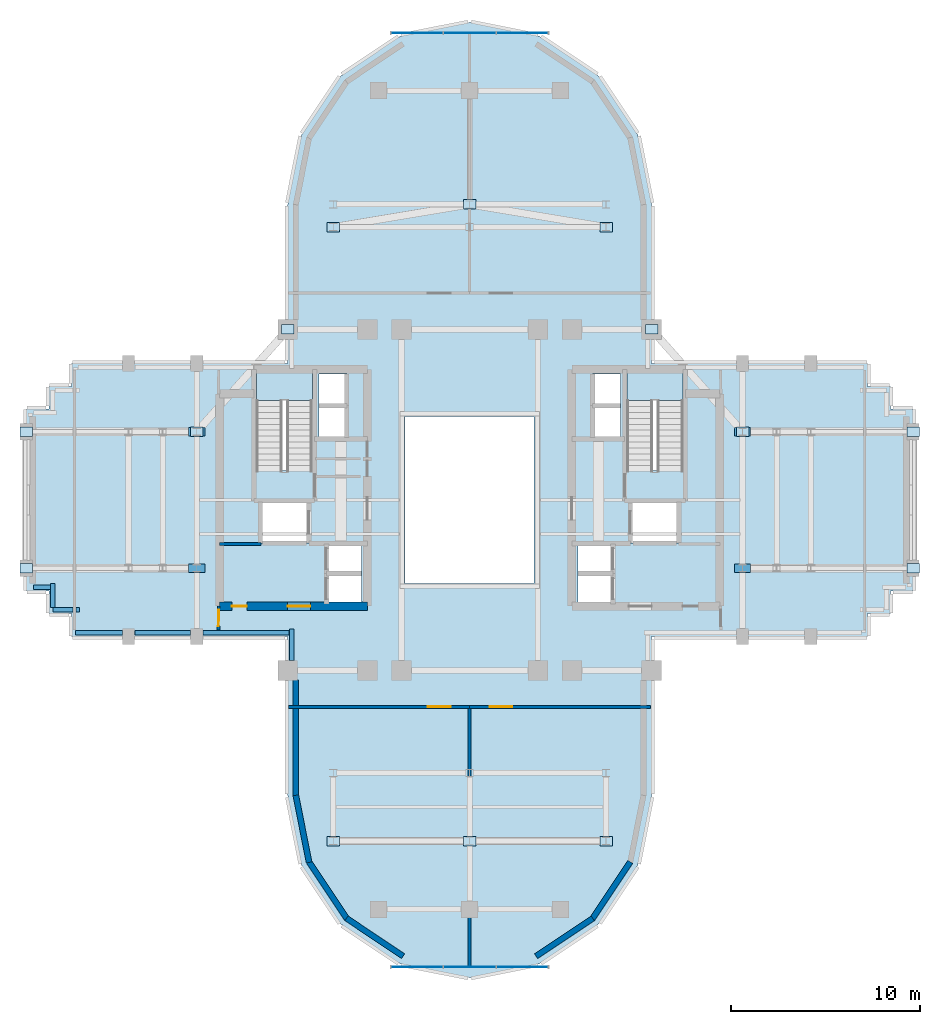
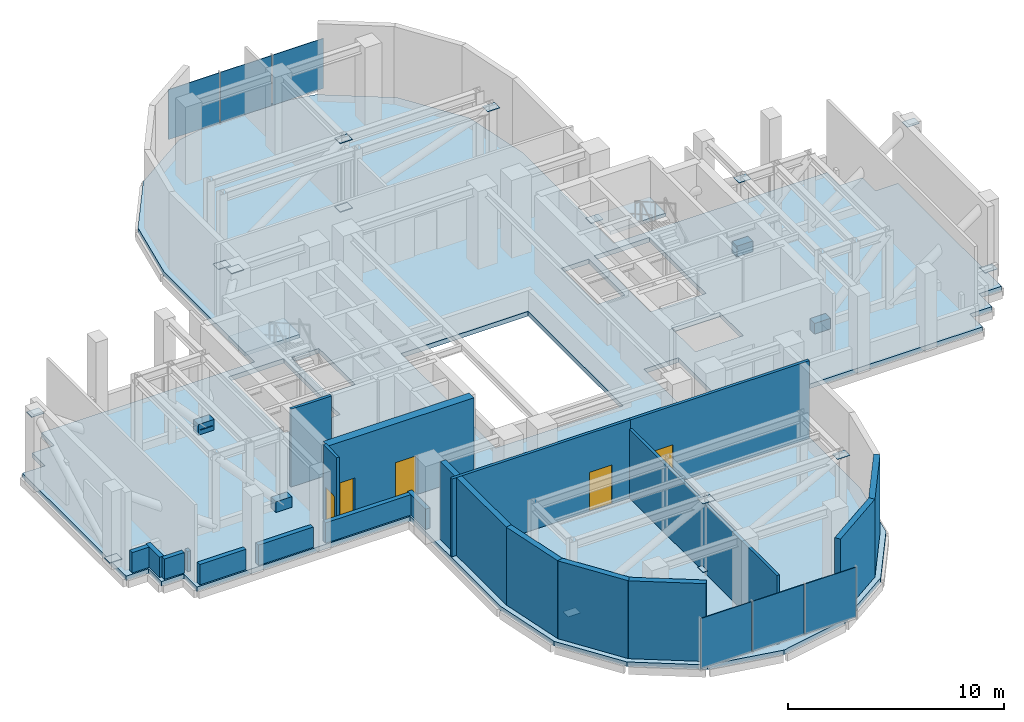
# One storey, part 5 of 11: 26 plates, 20 walls, 5 doors, 3 slabs, 5 openings, 4 elements without a shape of their own.
"""IFC4 building model written with IfcOpenShell, lengths in metres."""

from ifc_helpers import new_model, si_unit, direction, frame, frame_2d, origin, origin_2d, place, context, subcontext, project, spatial, polyline, rectangle, outline, extrude, source, transform, mapped, material, layer, layer_set, type_object, element, fill, aggregate, save


model = new_model("IFC4")

# Units and contexts
model_context = context("Model", 3, precision=1e-05, world=origin(), true_north=direction((0.0, 1.0)))
body_context = subcontext(model_context, "Body", "Model", "MODEL_VIEW")
ifc_project = project(units=[si_unit("LENGTHUNIT", "METRE"), si_unit("AREAUNIT", "SQUARE_METRE"), si_unit("VOLUMEUNIT", "CUBIC_METRE"), si_unit("PLANEANGLEUNIT", "RADIAN"), si_unit("MASSUNIT", "GRAM", prefix="KILO")], contexts=[model_context])

# Site, building, storey
site_placement = place(None, origin())
site = spatial("IfcSite", under=ifc_project, at=site_placement, CompositionType="ELEMENT")
building_placement = place(site_placement, origin())
building = spatial("IfcBuilding", under=site, at=building_placement, Name="Keilestroom Media Tower", CompositionType="ELEMENT")
storey_placement = place(building_placement, frame((0.0, 0.0, 151.60009765625)))
storey = spatial("IfcBuildingStorey", under=building, at=storey_placement, Name="L41", CompositionType="ELEMENT", Elevation=151.60009765625)

# Slab
ifc_material_1 = material(Name="Concrete C50/60", Category="concrete")
ifc_layer_1 = layer(ifc_material_1, 0.260009765625)
ifc_layer_set_1 = layer_set([ifc_layer_1], Name="Concrete C50/60")
slab_type_1 = type_object("IfcSlabType", Name="Composite-Floor-Slab-260", PredefinedType="FLOOR", material=ifc_layer_set_1)
slab_1_placement = place(storey_placement, frame((0.0, 0.0, -0.260009765625)))
element("IfcSlab", 1, at=slab_1_placement, inside=storey, type_object=slab_type_1, Name="L41 Structural Composite Floor Slab", PredefinedType="FLOOR", context=body_context, shape_type="SweptSolid", body=[
    extrude(outline(polyline([(23.39990234375, -4.800048828125), (23.39990234375, 4.800048828125), (22.199951171875, 4.800048828125), (22.199951171875, 6.0), (21.0, 6.0), (21.0, 7.199951171875), (9.60009765625, 7.199951171875), (9.60009765625, 9.60009765625), (9.60009765625, 15.60009765625), (8.869140625, 19.273681640625), (6.7880859375, 22.38818359375), (3.673828125, 24.46923828125), (0.0, 25.199951171875), (-3.673828125, 24.46923828125), (-6.7880859375, 22.38818359375), (-8.869140625, 19.273681640625), (-9.60009765625, 15.60009765625), (-9.60009765625, 9.60009765625), (-9.60009765625, 7.199951171875), (-21.0, 7.199951171875), (-21.0, 6.0), (-22.199951171875, 6.0), (-22.199951171875, 4.800048828125), (-23.39990234375, 4.800048828125), (-23.39990234375, -4.800048828125), (-22.199951171875, -4.800048828125), (-22.199951171875, -6.0), (-21.0, -6.0), (-21.0, -7.199951171875), (-9.60009765625, -7.199951171875), (-9.60009765625, -9.60009765625), (-9.60009765625, -15.60009765625), (-8.869140625, -19.273681640625), (-6.7880859375, -22.38818359375), (-3.673828125, -24.46923828125), (0.0, -25.199951171875), (3.673828125, -24.46923828125), (6.7880859375, -22.38818359375), (8.869140625, -19.273681640625), (9.60009765625, -15.60009765625), (9.60009765625, -9.60009765625), (9.60009765625, -7.199951171875), (21.0, -7.199951171875), (21.0, -6.0), (22.199951171875, -6.0), (22.199951171875, -4.800048828125), (23.39990234375, -4.800048828125)]), holes=[polyline([(-11.260009765625, 1.544921875), (-11.260009765625, 6.760009765625), (-8.300048828125, 6.760009765625), (-8.300048828125, 1.544921875), (-11.260009765625, 1.544921875)]), polyline([(-11.050048828125, -2.280029296875), (-11.050048828125, -0.10009765625), (-8.47998046875, -0.10009765625), (-8.47998046875, -2.280029296875), (-11.050048828125, -2.280029296875)]), polyline([(-7.949951171875, 3.300048828125), (-7.949951171875, 6.64990234375), (-6.47998046875, 6.64990234375), (-6.47998046875, 3.300048828125), (-7.949951171875, 3.300048828125)]), polyline([(-7.56005859375, -2.320068359375), (-5.719970703125, -2.320068359375), (-5.719970703125, -5.47998046875), (-7.56005859375, -5.47998046875), (-7.56005859375, -2.320068359375)]), polyline([(3.39990234375, -4.39990234375), (-3.39990234375, -4.39990234375), (-3.39990234375, 4.39990234375), (3.39990234375, 4.39990234375), (3.39990234375, -4.39990234375)]), polyline([(7.56005859375, -2.320068359375), (7.56005859375, -5.47998046875), (5.719970703125, -5.47998046875), (5.719970703125, -2.320068359375), (7.56005859375, -2.320068359375)]), polyline([(6.47998046875, 3.300048828125), (6.47998046875, 6.64990234375), (7.949951171875, 6.64990234375), (7.949951171875, 3.300048828125), (6.47998046875, 3.300048828125)]), polyline([(8.300048828125, 1.544921875), (8.300048828125, 6.760009765625), (11.260009765625, 6.760009765625), (11.260009765625, 1.544921875), (8.300048828125, 1.544921875)]), polyline([(8.47998046875, -2.280029296875), (8.47998046875, -0.10009765625), (11.050048828125, -0.10009765625), (11.050048828125, -2.280029296875), (8.47998046875, -2.280029296875)])]), origin(), (0.0, 0.0, 1.0), 0.260009765625),
])

# Stair, slab
ifc_material_2 = material(Name="Concrete C45/55", Category="concrete")
stair_type = type_object("IfcStairType", Name="Enclosed-Dog-Leg-Stair-ST-CORE", PredefinedType="HALF_TURN_STAIR", material=ifc_material_2)
stair_1_placement = place(storey_placement, origin())
stair_1 = element("IfcStair", 2, at=stair_1_placement, inside=storey, type_object=stair_type, Name="L41 West Core Escape Stair ST-1", PredefinedType="HALF_TURN_STAIR")
ifc_layer_2 = layer(ifc_material_2, 0.199951171875)
ifc_layer_set_2 = layer_set([ifc_layer_2], Name="Concrete C45/55")
slab_type_2 = type_object("IfcSlabType", Name="Stair-Intermediate-And-Top-Landing-Slab-200", PredefinedType="LANDING", material=ifc_layer_set_2)
slab_2_placement = place(storey_placement, frame((0.0, 0.0, 2.099853515625)))
slab_2 = element("IfcSlab", 3, at=slab_2_placement, type_object=slab_type_2, Name="ST-1 landing 1", PredefinedType="LANDING", context=body_context, shape_type="SweptSolid", body=[
    extrude(outline(polyline([(-8.300048828125, 5.243896484375), (-8.300048828125, 6.760009765625), (-11.260009765625, 6.760009765625), (-11.260009765625, 5.243896484375), (-8.300048828125, 5.243896484375)])), origin(), (0.0, 0.0, 1.0), 0.199951171875),
])
aggregate(stair_1, [slab_2])

stair_2_placement = place(storey_placement, origin())
stair_2 = element("IfcStair", 4, at=stair_2_placement, inside=storey, type_object=stair_type, Name="L41 East Core Escape Stair ST-2", PredefinedType="HALF_TURN_STAIR")
slab_3_placement = place(storey_placement, frame((0.0, 0.0, 2.099853515625)))
slab_3 = element("IfcSlab", 5, at=slab_3_placement, type_object=slab_type_2, Name="ST-2 landing 1", PredefinedType="LANDING", context=body_context, shape_type="SweptSolid", body=[
    extrude(outline(polyline([(11.260009765625, 5.243896484375), (11.260009765625, 6.760009765625), (8.300048828125, 6.760009765625), (8.300048828125, 5.243896484375), (11.260009765625, 5.243896484375)])), origin(), (0.0, 0.0, 1.0), 0.199951171875),
])
aggregate(stair_2, [slab_3])

# Plates
ifc_material_3 = material(Name="Steel S460", Category="steel")
ifc_layer_3 = layer(ifc_material_3, 0.64990234375)
ifc_layer_set_3 = layer_set([ifc_layer_3], Name="Steel S460")
plate_type_1 = type_object("IfcPlateType", Name="Structural-Gusset-And-Cap-Plate-ND-05", PredefinedType="SHEET", material=ifc_layer_set_3)
shared_shape_1 = source(origin(), body_context, "Body", "SweptSolid", [
    extrude(rectangle(XDim=0.85009765625, YDim=0.449951171875, at=origin_2d()), origin(), (0.0, 0.0, 1.0), 0.64990234375),
])
for number, where, z_axis, x_axis, name in (
    (6, (-14.39990234375, -3.60009765625, -0.045166015625), (0.0, 0.0, 1.0), (1.0, 0.0, 0.0), "L41 Outrigger Gusset ND-05 WS"),
    (7, (-14.39990234375, 3.60009765625, -0.045166015625), (0.0, 0.0, 1.0), (1.0, 0.0, 0.0), "L41 Outrigger Gusset ND-05 WN"),
    (8, (14.39990234375, -3.60009765625, -0.045166015625), (0.0, 0.0, 1.0), (1.0, 0.0, 0.0), "L41 Outrigger Gusset ND-05 ES"),
    (9, (14.39990234375, 3.60009765625, -0.045166015625), (0.0, 0.0, 1.0), (1.0, 0.0, 0.0), "L41 Outrigger Gusset ND-05 EN"),
):
    element("IfcPlate", number, at=place(storey_placement, frame(where, z_axis=z_axis, x_axis=x_axis)), inside=storey, type_object=plate_type_1, Name=name, PredefinedType="SHEET", context=body_context, shape_type="MappedRepresentation", body=[
        mapped(shared_shape_1, transform((0.0, 0.0, 0.0), x_axis=(1.0, 0.0, 0.0), y_axis=(0.0, 1.0, 0.0), z_axis=(0.0, 0.0, 1.0), scale=1.0)),
    ])
ifc_layer_4 = layer(ifc_material_3, 0.02490234375)
ifc_layer_set_4 = layer_set([ifc_layer_4], Name="Steel S460")
plate_type_2 = type_object("IfcPlateType", Name="Structural-Gusset-And-Cap-Plate-ND-06", PredefinedType="SHEET", material=ifc_layer_set_4)
shared_shape_2 = source(origin(), body_context, "Body", "SweptSolid", [
    extrude(rectangle(XDim=0.659912109375, YDim=0.5, at=origin_2d()), origin(), (0.0, 0.0, 1.0), 0.02490234375),
])
for number, where, z_axis, x_axis, name in (
    (10, (-23.39990234375, -3.60009765625, 0.267333984375), (0.0, 0.0, 1.0), (1.0, 0.0, 0.0), "L41 Belt Truss Lower End Cap ND-06 BW1"),
    (11, (-23.39990234375, 3.60009765625, 4.137451171875), (0.0, 0.0, 1.0), (1.0, 0.0, 0.0), "L41 Belt Truss Upper End Cap ND-06 BW1"),
    (12, (23.39990234375, -3.60009765625, 0.267333984375), (0.0, 0.0, 1.0), (1.0, 0.0, 0.0), "L41 Belt Truss Lower End Cap ND-06 BE1"),
    (13, (23.39990234375, 3.60009765625, 4.137451171875), (0.0, 0.0, 1.0), (1.0, 0.0, 0.0), "L41 Belt Truss Upper End Cap ND-06 BE1"),
    (14, (-7.199951171875, 14.39990234375, 0.267333984375), (0.0, 0.0, 1.0), (1.0, 0.0, 0.0), "L41 Belt Truss Lower End Cap ND-06 BN1"),
    (15, (0.0, 15.60009765625, 4.137451171875), (0.0, 0.0, 1.0), (1.0, 0.0, 0.0), "L41 Belt Truss Upper End Cap ND-06 BN1"),
    (16, (0.0, 15.60009765625, 0.267333984375), (0.0, 0.0, 1.0), (1.0, 0.0, 0.0), "L41 Belt Truss Lower End Cap ND-06 BN2"),
    (17, (7.199951171875, 14.39990234375, 4.137451171875), (0.0, 0.0, 1.0), (1.0, 0.0, 0.0), "L41 Belt Truss Upper End Cap ND-06 BN2"),
    (18, (-7.199951171875, -18.0, 0.267333984375), (0.0, 0.0, 1.0), (1.0, 0.0, 0.0), "L41 Belt Truss Lower End Cap ND-06 BS1"),
    (19, (0.0, -18.0, 4.137451171875), (0.0, 0.0, 1.0), (1.0, 0.0, 0.0), "L41 Belt Truss Upper End Cap ND-06 BS1"),
    (20, (0.0, -18.0, 0.267333984375), (0.0, 0.0, 1.0), (1.0, 0.0, 0.0), "L41 Belt Truss Lower End Cap ND-06 BS2"),
    (21, (7.199951171875, -18.0, 4.137451171875), (0.0, 0.0, 1.0), (1.0, 0.0, 0.0), "L41 Belt Truss Upper End Cap ND-06 BS2"),
    (22, (-14.39990234375, 3.60009765625, 0.267333984375), (0.0, 0.0, 1.0), (1.0, 0.0, 0.0), "L41 Belt Truss Lower End Cap ND-06 BWN"),
    (23, (-9.60009765625, 9.0, 4.137451171875), (0.0, 0.0, 1.0), (1.0, 0.0, 0.0), "L41 Belt Truss Upper End Cap ND-06 BWN"),
    (24, (9.60009765625, 9.0, 0.267333984375), (0.0, 0.0, 1.0), (1.0, 0.0, 0.0), "L41 Belt Truss Lower End Cap ND-06 BEN"),
    (25, (14.39990234375, 3.60009765625, 4.137451171875), (0.0, 0.0, 1.0), (1.0, 0.0, 0.0), "L41 Belt Truss Upper End Cap ND-06 BEN"),
):
    element("IfcPlate", number, at=place(storey_placement, frame(where, z_axis=z_axis, x_axis=x_axis)), inside=storey, type_object=plate_type_2, Name=name, PredefinedType="SHEET", context=body_context, shape_type="MappedRepresentation", body=[
        mapped(shared_shape_2, transform((0.0, 0.0, 0.0), x_axis=(1.0, 0.0, 0.0), y_axis=(0.0, 1.0, 0.0), z_axis=(0.0, 0.0, 1.0), scale=1.0)),
    ])

# Curtain wall, plates
ifc_material_4 = material(Name="Anodised Aluminium Alloy", Category="aluminium")
curtain_wall_type = type_object("IfcCurtainWallType", Name="Unitised-Curtain-Wall-CW-6", PredefinedType="NOTDEFINED", material=ifc_material_4)
curtain_wall_1_placement = place(storey_placement, origin())
curtain_wall_1 = element("IfcCurtainWall", 26, at=curtain_wall_1_placement, inside=storey, type_object=curtain_wall_type, Name="L41 Curtain Wall CW-6 CW-L41-N", PredefinedType="NOTDEFINED")
ifc_material_5 = material(Name="Curved-Facet Triple Glazed Unit", Category="glass")
ifc_layer_5 = layer(ifc_material_5, 0.033935546875)
ifc_layer_set_5 = layer_set([ifc_layer_5], Name="Curved-Facet Triple Glazed Unit")
plate_type_3 = type_object("IfcPlateType", Name="Insulated-Curtain-Wall-Glazing-Panel-CW-6", PredefinedType="CURTAIN_PANEL", material=ifc_layer_set_5)
shared_shape_3 = source(origin(), body_context, "Body", "SweptSolid", [
    extrude(rectangle(XDim=2.71044921875, YDim=0.033935546875, at=origin_2d()), origin(), (0.0, 0.0, 1.0), 2.833984375),
])
plate_1_placement = place(storey_placement, frame((-2.78369140625, 24.64990234375, 0.072998046875), z_axis=(0.0, 0.0, 1.0), x_axis=(1.0, 0.0, 0.0)))
plate_1 = element("IfcPlate", 27, at=plate_1_placement, type_object=plate_type_3, Name="CW-6 Unitised Glazing 00", PredefinedType="CURTAIN_PANEL", context=body_context, shape_type="MappedRepresentation", body=[
    mapped(shared_shape_3, transform((0.0, 0.0, 0.0), x_axis=(1.0, 0.0, 0.0), y_axis=(0.0, 1.0, 0.0), z_axis=(0.0, 0.0, 1.0), scale=1.0)),
])
plate_2_placement = place(storey_placement, frame((2.78369140625, 24.64990234375, 0.072998046875), z_axis=(0.0, 0.0, 1.0), x_axis=(1.0, 0.0, 0.0)))
plate_2 = element("IfcPlate", 28, at=plate_2_placement, type_object=plate_type_3, Name="CW-6 Unitised Glazing 02", PredefinedType="CURTAIN_PANEL", context=body_context, shape_type="MappedRepresentation", body=[
    mapped(shared_shape_3, transform((0.0, 0.0, 0.0), x_axis=(1.0, 0.0, 0.0), y_axis=(0.0, 1.0, 0.0), z_axis=(0.0, 0.0, 1.0), scale=1.0)),
])

curtain_wall_2_placement = place(storey_placement, origin())
curtain_wall_2 = element("IfcCurtainWall", 29, at=curtain_wall_2_placement, inside=storey, type_object=curtain_wall_type, Name="L41 Curtain Wall CW-6 CW-L41-S", PredefinedType="NOTDEFINED")
plate_3_placement = place(storey_placement, frame((-2.78369140625, -24.64990234375, 0.072998046875), z_axis=(0.0, 0.0, 1.0), x_axis=(1.0, 0.0, 0.0)))
plate_3 = element("IfcPlate", 30, at=plate_3_placement, type_object=plate_type_3, Name="CW-6 Unitised Glazing 00", PredefinedType="CURTAIN_PANEL", context=body_context, shape_type="MappedRepresentation", body=[
    mapped(shared_shape_3, transform((0.0, 0.0, 0.0), x_axis=(1.0, 0.0, 0.0), y_axis=(0.0, 1.0, 0.0), z_axis=(0.0, 0.0, 1.0), scale=1.0)),
])
plate_4_placement = place(storey_placement, frame((2.78369140625, -24.64990234375, 0.072998046875), z_axis=(0.0, 0.0, 1.0), x_axis=(1.0, 0.0, 0.0)))
plate_4 = element("IfcPlate", 31, at=plate_4_placement, type_object=plate_type_3, Name="CW-6 Unitised Glazing 02", PredefinedType="CURTAIN_PANEL", context=body_context, shape_type="MappedRepresentation", body=[
    mapped(shared_shape_3, transform((0.0, 0.0, 0.0), x_axis=(1.0, 0.0, 0.0), y_axis=(0.0, 1.0, 0.0), z_axis=(0.0, 0.0, 1.0), scale=1.0)),
])

# Plate
shared_shape_4 = source(origin(), body_context, "Body", "SweptSolid", [
    extrude(rectangle(XDim=2.742919921875, YDim=0.033935546875, at=origin_2d()), origin(), (0.0, 0.0, 1.0), 2.833984375),
])
plate_5_placement = place(storey_placement, frame((0.0, 24.64990234375, 0.072998046875), z_axis=(0.0, 0.0, 1.0), x_axis=(1.0, 0.0, 0.0)))
plate_5 = element("IfcPlate", 32, at=plate_5_placement, type_object=plate_type_3, Name="CW-6 Unitised Glazing 01", PredefinedType="CURTAIN_PANEL", context=body_context, shape_type="MappedRepresentation", body=[
    mapped(shared_shape_4, transform((0.0, 0.0, 0.0), x_axis=(1.0, 0.0, 0.0), y_axis=(0.0, 1.0, 0.0), z_axis=(0.0, 0.0, 1.0), scale=1.0)),
])

aggregate(curtain_wall_1, [plate_1, plate_5, plate_2])

plate_6_placement = place(storey_placement, frame((0.0, -24.64990234375, 0.072998046875), z_axis=(0.0, 0.0, 1.0), x_axis=(1.0, 0.0, 0.0)))
plate_6 = element("IfcPlate", 33, at=plate_6_placement, type_object=plate_type_3, Name="CW-6 Unitised Glazing 01", PredefinedType="CURTAIN_PANEL", context=body_context, shape_type="MappedRepresentation", body=[
    mapped(shared_shape_4, transform((0.0, 0.0, 0.0), x_axis=(1.0, 0.0, 0.0), y_axis=(0.0, 1.0, 0.0), z_axis=(0.0, 0.0, 1.0), scale=1.0)),
])

aggregate(curtain_wall_2, [plate_3, plate_6, plate_4])

# Walls
ifc_material_6 = material(Name="Precast concrete C40/50", Category="concrete")
ifc_layer_6 = layer(ifc_material_6, 0.300048828125)
ifc_layer_set_6 = layer_set([ifc_layer_6], Name="Precast concrete C40/50")
wall_type_1 = type_object("IfcWallType", Name="Exterior-Masonry-Spandrel-Wall-300", PredefinedType="SOLIDWALL", material=ifc_layer_set_6)
wall_1_placement = place(storey_placement, frame((-9.171875, -9.492919921875, 0.0), z_axis=(0.0, 0.0, 1.0), x_axis=(0.0, -1.0, 0.0)))
element("IfcWall", 34, at=wall_1_placement, inside=storey, type_object=wall_type_1, Name="L41 Plant Lobe Masonry Wall 09", PredefinedType="SOLIDWALL", context=body_context, shape_type="SweptSolid", body=[
    extrude(rectangle(XDim=6.136962890625, YDim=0.300048828125, at=frame_2d((3.068359375, 0.0))), origin(), (0.0, 0.0, 1.0), 4.39990234375),
])
for number, where, z_axis, x_axis, name in (
    (35, (-9.1748046875, -15.585205078125, 0.0), (0.0, 0.0, 1.0), (0.195114232679, -0.980780523974, 0.0), "L41 Plant Lobe Masonry Wall 10"),
    (36, (-8.48193359375, -19.097412109375, 0.0), (0.0, 0.0, 1.0), (0.555574187116, -0.831466970246, 0.0), "L41 Plant Lobe Masonry Wall 11"),
):
    element("IfcWall", number, at=place(storey_placement, frame(where, z_axis=z_axis, x_axis=x_axis)), inside=storey, type_object=wall_type_1, Name=name, PredefinedType="SOLIDWALL", context=body_context, shape_type="SweptSolid", body=[
        extrude(rectangle(XDim=3.608642578125, YDim=0.300048828125, at=frame_2d((1.80419921875, 0.0))), origin(), (0.0, 0.0, 1.0), 4.39990234375),
    ])
for number, where, z_axis, x_axis, name in (
    (37, (-6.497802734375, -22.0771484375, 0.0), (0.0, 0.0, 1.0), (0.8314749531, -0.555562239868, 0.0), "L41 Plant Lobe Masonry Wall 12"),
    (38, (3.510009765625, -24.073486328125, 0.0), (0.0, 0.0, 1.0), (0.8314749531, 0.555562239868, 0.0), "L41 Plant Lobe Masonry Wall 13"),
):
    element("IfcWall", number, at=place(storey_placement, frame(where, z_axis=z_axis, x_axis=x_axis)), inside=storey, type_object=wall_type_1, Name=name, PredefinedType="SOLIDWALL", context=body_context, shape_type="SweptSolid", body=[
        extrude(rectangle(XDim=3.59326171875, YDim=0.300048828125, at=frame_2d((1.796630859375, 0.0))), origin(), (0.0, 0.0, 1.0), 4.39990234375),
    ])
wall_2_placement = place(storey_placement, frame((6.47705078125, -22.097900390625, 0.0), z_axis=(0.0, 0.0, 1.0), x_axis=(0.555574187116, 0.831466970246, 0.0)))
element("IfcWall", 39, at=wall_2_placement, inside=storey, type_object=wall_type_1, Name="L41 Plant Lobe Masonry Wall 14", PredefinedType="SOLIDWALL", context=body_context, shape_type="SweptSolid", body=[
    extrude(rectangle(XDim=3.608642578125, YDim=0.300048828125, at=frame_2d((1.80419921875, 0.0))), origin(), (0.0, 0.0, 1.0), 4.39990234375),
])
ifc_material_7 = material(Name="Gypsum Plasterboard & Steel Stud", Category="steel")
ifc_layer_7 = layer(ifc_material_7, 0.14990234375)
ifc_layer_set_7 = layer_set([ifc_layer_7], Name="Gypsum Plasterboard & Steel Stud")
wall_type_2 = type_object("IfcWallType", Name="Interior-Partition-Wall-150", PredefinedType="PARTITIONING", material=ifc_layer_set_7)
wall_3_placement = place(storey_placement, frame((-13.199951171875, -2.320068359375, 0.0), z_axis=(0.0, 0.0, 1.0), x_axis=(1.0, 0.0, 0.0)))
element("IfcWall", 40, at=wall_3_placement, inside=storey, type_object=wall_type_2, Name="L41 Interior Wall WP-L41-RECLW-N", PredefinedType="PARTITIONING", context=body_context, shape_type="SweptSolid", body=[
    extrude(rectangle(XDim=2.179931640625, YDim=0.14990234375, at=frame_2d((1.08984375, 0.0))), origin(), (0.0, 0.0, 1.0), 4.39990234375),
])

# Wall, opening, door
wall_4_placement = place(storey_placement, frame((-13.260009765625, -6.85009765625, 0.0), z_axis=(0.0, 0.0, 1.0), x_axis=(0.016013571389, 0.999871774545, 0.0)))
wall_4 = element("IfcWall", 41, at=wall_4_placement, inside=storey, type_object=wall_type_2, Name="L41 Interior Wall WP-L41-REF-WE", PredefinedType="PARTITIONING", context=body_context, shape_type="SweptSolid", body=[
    extrude(rectangle(XDim=1.250244140625, YDim=0.14990234375, at=frame_2d((0.625, 0.0))), origin(), (0.0, 0.0, 1.0), 4.39990234375),
])
opening_1_placement = place(wall_4_placement, frame((0.199951171875, 0.0, 0.0)))
opening_1 = element("IfcOpeningElement", 42, at=opening_1_placement, cuts=wall_4, Name="Opening DI-05", PredefinedType="OPENING", context=body_context, shape_type="SweptSolid", body=[
    extrude(rectangle(XDim=0.85009765625, YDim=2.10009765625, at=frame_2d((0.425048828125, 1.050048828125))), frame((0.0, 0.0849609375, 0.0), z_axis=(0.0, -1.0, 0.0), x_axis=(1.0, 0.0, 0.0)), (0.0, 0.0, 1.0), 0.169921875),
])
ifc_material_8 = material(Name="Moisture-Resistant Oak Leaf", Category="wood")
door_type_1 = type_object("IfcDoorType", Name="Interior-En-Suite-And-Cupboard-Door-DI-05", OperationType="NOTDEFINED", PredefinedType="DOOR", material=ifc_material_8)
shared_shape_5 = source(origin(), body_context, "Body", "SweptSolid", [
    extrude(rectangle(XDim=0.85009765625, YDim=2.10009765625, at=frame_2d((0.425048828125, 1.050048828125))), frame((0.0, 0.02490234375, 0.0), z_axis=(0.0, -1.0, 0.0), x_axis=(1.0, 0.0, 0.0)), (0.0, 0.0, 1.0), 0.050048828125),
])
door_1_placement = place(opening_1_placement, origin())
door_1 = element("IfcDoor", 43, at=door_1_placement, inside=storey, type_object=door_type_1, Name="L41 Interior Door DI-L41-DRF-WS", OperationType="SINGLE_SWING_RIGHT", OverallHeight=2.10009765625, OverallWidth=0.85009765625, PredefinedType="DOOR", context=body_context, shape_type="MappedRepresentation", body=[
    mapped(shared_shape_5, transform((0.0, 0.0, 0.0), x_axis=(1.0, 0.0, 0.0), y_axis=(0.0, 1.0, 0.0), z_axis=(0.0, 0.0, 1.0), scale=1.0)),
])
fill(opening_1, door_1)

wall_5_placement = place(storey_placement, frame((-9.550048828125, -10.919921875, 0.0), z_axis=(0.0, 0.0, 1.0), x_axis=(1.0, 0.0, 0.0)))
wall_5 = element("IfcWall", 44, at=wall_5_placement, inside=storey, type_object=wall_type_2, Name="L41 Interior Wall WP-L41-PL-PUMPS-N", PredefinedType="PARTITIONING", context=body_context, shape_type="SweptSolid", body=[
    extrude(rectangle(XDim=9.550048828125, YDim=0.14990234375, at=frame_2d((4.77490234375, 0.0))), origin(), (0.0, 0.0, 1.0), 4.39990234375),
])
opening_2_placement = place(wall_5_placement, frame((7.35009765625, 0.0, 0.0)))
opening_2 = element("IfcOpeningElement", 45, at=opening_2_placement, cuts=wall_5, Name="Opening DI-02", PredefinedType="OPENING", context=body_context, shape_type="SweptSolid", body=[
    extrude(rectangle(XDim=1.199951171875, YDim=2.199951171875, at=frame_2d((0.60009765625, 1.10009765625))), frame((0.0, 0.0849609375, 0.0), z_axis=(0.0, -1.0, 0.0), x_axis=(1.0, 0.0, 0.0)), (0.0, 0.0, 1.0), 0.169921875),
])
ifc_material_9 = material(Name="Powder-Coated Steel Fire Leaf", Category="steel")
door_type_2 = type_object("IfcDoorType", Name="Interior-Compartment-Fire-Door-DI-02", OperationType="NOTDEFINED", PredefinedType="DOOR", material=ifc_material_9)
shared_shape_6 = source(origin(), body_context, "Body", "SweptSolid", [
    extrude(rectangle(XDim=1.199951171875, YDim=2.199951171875, at=frame_2d((0.60009765625, 1.10009765625))), frame((0.0, 0.02490234375, 0.0), z_axis=(0.0, -1.0, 0.0), x_axis=(1.0, 0.0, 0.0)), (0.0, 0.0, 1.0), 0.050048828125),
])
door_2_placement = place(opening_2_placement, origin())
door_2 = element("IfcDoor", 46, at=door_2_placement, inside=storey, type_object=door_type_2, Name="L41 Interior Door DI-L41-PL-PUMPS-D", OperationType="SINGLE_SWING_RIGHT", OverallHeight=2.199951171875, OverallWidth=1.199951171875, PredefinedType="DOOR", context=body_context, shape_type="MappedRepresentation", body=[
    mapped(shared_shape_6, transform((0.0, 0.0, 0.0), x_axis=(1.0, 0.0, 0.0), y_axis=(0.0, 1.0, 0.0), z_axis=(0.0, 0.0, 1.0), scale=1.0)),
])
fill(opening_2, door_2)

# Wall
wall_6_placement = place(storey_placement, frame((0.0, -24.64990234375, 0.0), z_axis=(0.0, 0.0, 1.0), x_axis=(0.0, 1.0, 0.0)))
element("IfcWall", 47, at=wall_6_placement, inside=storey, type_object=wall_type_2, Name="L41 Interior Wall WP-L41-PL-PUMPS-M", PredefinedType="PARTITIONING", context=body_context, shape_type="SweptSolid", body=[
    extrude(rectangle(XDim=13.72998046875, YDim=0.14990234375, at=frame_2d((6.864990234375, 0.0))), origin(), (0.0, 0.0, 1.0), 3.89990234375),
])

# Wall, opening, door
wall_7_placement = place(storey_placement, frame((0.0, -10.919921875, 0.0), z_axis=(0.0, 0.0, 1.0), x_axis=(1.0, 0.0, 0.0)))
wall_7 = element("IfcWall", 48, at=wall_7_placement, inside=storey, type_object=wall_type_2, Name="L41 Interior Wall WP-L41-PL-BMSS-N", PredefinedType="PARTITIONING", context=body_context, shape_type="SweptSolid", body=[
    extrude(rectangle(XDim=9.550048828125, YDim=0.14990234375, at=frame_2d((4.77490234375, 0.0))), origin(), (0.0, 0.0, 1.0), 4.39990234375),
])
opening_3_placement = place(wall_7_placement, frame((1.050048828125, 0.0, 0.0)))
opening_3 = element("IfcOpeningElement", 49, at=opening_3_placement, cuts=wall_7, Name="Opening DI-02", PredefinedType="OPENING", context=body_context, shape_type="SweptSolid", body=[
    extrude(rectangle(XDim=1.199951171875, YDim=2.199951171875, at=frame_2d((0.60009765625, 1.10009765625))), frame((0.0, 0.0849609375, 0.0), z_axis=(0.0, -1.0, 0.0), x_axis=(1.0, 0.0, 0.0)), (0.0, 0.0, 1.0), 0.169921875),
])
door_3_placement = place(opening_3_placement, origin())
door_3 = element("IfcDoor", 50, at=door_3_placement, inside=storey, type_object=door_type_2, Name="L41 Interior Door DI-L41-PL-BMSS-D", OperationType="SINGLE_SWING_LEFT", OverallHeight=2.199951171875, OverallWidth=1.199951171875, PredefinedType="DOOR", context=body_context, shape_type="MappedRepresentation", body=[
    mapped(shared_shape_6, transform((0.0, 0.0, 0.0), x_axis=(1.0, 0.0, 0.0), y_axis=(0.0, 1.0, 0.0), z_axis=(0.0, 0.0, 1.0), scale=1.0)),
])
fill(opening_3, door_3)

# Wall, openings, doors
ifc_material_10 = material(Name="Concrete C55/67", Category="concrete")
ifc_layer_8 = layer(ifc_material_10, 0.449951171875)
ifc_layer_set_8 = layer_set([ifc_layer_8], Name="Concrete C55/67")
wall_type_3 = type_object("IfcWallType", Name="Reinforced-Concrete-Core-Shear-Wall-450", PredefinedType="SHEAR", material=ifc_layer_set_8)
wall_8_placement = place(storey_placement, frame((-13.199951171875, -5.60009765625, 0.0), z_axis=(0.0, 0.0, 1.0), x_axis=(1.0, 0.0, 0.0)))
wall_8 = element("IfcWall", 51, at=wall_8_placement, inside=storey, type_object=wall_type_3, Name="L41 Core Shear Wall WL-L41-CORE-W-S", PredefinedType="SHEAR", context=body_context, shape_type="SweptSolid", body=[
    extrude(rectangle(XDim=7.800048828125, YDim=0.449951171875, at=frame_2d((3.89990234375, 0.0))), origin(), (0.0, 0.0, 1.0), 4.39990234375),
])
opening_4_placement = place(wall_8_placement, frame((3.60009765625, 0.0, 0.0)))
opening_4 = element("IfcOpeningElement", 52, at=opening_4_placement, cuts=wall_8, Name="Opening DI-02", PredefinedType="OPENING", context=body_context, shape_type="SweptSolid", body=[
    extrude(rectangle(XDim=1.199951171875, YDim=2.199951171875, at=frame_2d((0.60009765625, 1.10009765625))), frame((0.0, 0.23486328125, 0.0), z_axis=(0.0, -1.0, 0.0), x_axis=(1.0, 0.0, 0.0)), (0.0, 0.0, 1.0), 0.469970703125),
])
opening_5_placement = place(wall_8_placement, frame((0.64990234375, 0.0, 0.0)))
opening_5 = element("IfcOpeningElement", 53, at=opening_5_placement, cuts=wall_8, Name="Opening DI-06", PredefinedType="OPENING", context=body_context, shape_type="SweptSolid", body=[
    extrude(rectangle(XDim=0.800048828125, YDim=2.10009765625, at=frame_2d((0.39990234375, 1.050048828125))), frame((0.0, 0.23486328125, 0.0), z_axis=(0.0, -1.0, 0.0), x_axis=(1.0, 0.0, 0.0)), (0.0, 0.0, 1.0), 0.469970703125),
])
door_4_placement = place(opening_4_placement, origin())
door_4 = element("IfcDoor", 54, at=door_4_placement, inside=storey, type_object=door_type_2, Name="L41 W Passenger Lift Lobby Door", OperationType="SINGLE_SWING_LEFT", OverallHeight=2.199951171875, OverallWidth=1.199951171875, PredefinedType="DOOR", context=body_context, shape_type="MappedRepresentation", body=[
    mapped(shared_shape_6, transform((0.0, 0.0, 0.0), x_axis=(1.0, 0.0, 0.0), y_axis=(0.0, 1.0, 0.0), z_axis=(0.0, 0.0, 1.0), scale=1.0)),
])
fill(opening_4, door_4)
ifc_material_11 = material(Name="Powder-Coated Steel Service Leaf", Category="steel")
door_type_3 = type_object("IfcDoorType", Name="Interior-Riser-Access-Door-DI-06", OperationType="NOTDEFINED", PredefinedType="DOOR", material=ifc_material_11)
shared_shape_7 = source(origin(), body_context, "Body", "SweptSolid", [
    extrude(rectangle(XDim=0.800048828125, YDim=2.10009765625, at=frame_2d((0.39990234375, 1.050048828125))), frame((0.0, 0.02490234375, 0.0), z_axis=(0.0, -1.0, 0.0), x_axis=(1.0, 0.0, 0.0)), (0.0, 0.0, 1.0), 0.050048828125),
])
door_5_placement = place(opening_5_placement, origin())
door_5 = element("IfcDoor", 55, at=door_5_placement, inside=storey, type_object=door_type_3, Name="L41 Reclaimed West Core Room Door", OperationType="SINGLE_SWING_LEFT", OverallHeight=2.10009765625, OverallWidth=0.800048828125, PredefinedType="DOOR", context=body_context, shape_type="MappedRepresentation", body=[
    mapped(shared_shape_7, transform((0.0, 0.0, 0.0), x_axis=(1.0, 0.0, 0.0), y_axis=(0.0, 1.0, 0.0), z_axis=(0.0, 0.0, 1.0), scale=1.0)),
])
fill(opening_5, door_5)

# Walls
ifc_layer_9 = layer(ifc_material_6, 0.239990234375)
ifc_layer_set_9 = layer_set([ifc_layer_9], Name="Precast concrete C40/50")
wall_type_4 = type_object("IfcWallType", Name="Roof-And-Terrace-Parapet-Wall-240", PredefinedType="PARAPET", material=ifc_layer_set_9)
wall_9_placement = place(storey_placement, frame((-9.39990234375, -8.471923828125, 0.0), z_axis=(0.0, 0.0, 1.0), x_axis=(0.0, 1.0, 0.0)))
element("IfcWall", 56, at=wall_9_placement, inside=storey, type_object=wall_type_4, Name="L41 Perimeter Edge Parapet Wall 10", PredefinedType="PARAPET", context=body_context, shape_type="SweptSolid", body=[
    extrude(rectangle(XDim=1.671875, YDim=0.239990234375, at=frame_2d((0.8359375, 0.0))), origin(), (0.0, 0.0, 1.0), 1.14990234375),
])
wall_10_placement = place(storey_placement, frame((-9.52294921875, -7.0, 0.0), z_axis=(0.0, 0.0, 1.0), x_axis=(-1.0, 0.0, 0.0)))
element("IfcWall", 57, at=wall_10_placement, inside=storey, type_object=wall_type_4, Name="L41 Perimeter Edge Parapet Wall 11", PredefinedType="PARAPET", context=body_context, shape_type="SweptSolid", body=[
    extrude(rectangle(XDim=4.549072265625, YDim=0.239990234375, at=frame_2d((2.2744140625, 0.0))), origin(), (0.0, 0.0, 1.0), 1.14990234375),
])
wall_11_placement = place(storey_placement, frame((-14.72802734375, -7.0, 0.0), z_axis=(0.0, 0.0, 1.0), x_axis=(-1.0, 0.0, 0.0)))
element("IfcWall", 58, at=wall_11_placement, inside=storey, type_object=wall_type_4, Name="L41 Perimeter Edge Parapet Wall 12", PredefinedType="PARAPET", context=body_context, shape_type="SweptSolid", body=[
    extrude(rectangle(XDim=2.944091796875, YDim=0.239990234375, at=frame_2d((1.47216796875, 0.0))), origin(), (0.0, 0.0, 1.0), 1.14990234375),
])
wall_12_placement = place(storey_placement, frame((-18.327880859375, -7.0, 0.0), z_axis=(0.0, 0.0, 1.0), x_axis=(-1.0, 0.0, 0.0)))
element("IfcWall", 59, at=wall_12_placement, inside=storey, type_object=wall_type_4, Name="L41 Perimeter Edge Parapet Wall 13", PredefinedType="PARAPET", context=body_context, shape_type="SweptSolid", body=[
    extrude(rectangle(XDim=2.47216796875, YDim=0.239990234375, at=frame_2d((1.236083984375, 0.0))), origin(), (0.0, 0.0, 1.0), 1.14990234375),
])
wall_13_placement = place(storey_placement, frame((-20.60009765625, -5.800048828125, 0.0), z_axis=(0.0, 0.0, 1.0), x_axis=(-1.0, 0.0, 0.0)))
element("IfcWall", 60, at=wall_13_placement, inside=storey, type_object=wall_type_4, Name="L41 Perimeter Edge Parapet Wall 14", PredefinedType="PARAPET", context=body_context, shape_type="SweptSolid", body=[
    extrude(rectangle(XDim=0.171875, YDim=0.239990234375, at=frame_2d((0.0859375, 0.0))), origin(), (0.0, 0.0, 1.0), 1.14990234375),
])
wall_14_placement = place(storey_placement, frame((-20.927978515625, -5.800048828125, 0.0), z_axis=(0.0, 0.0, 1.0), x_axis=(-1.0, 0.0, 0.0)))
element("IfcWall", 61, at=wall_14_placement, inside=storey, type_object=wall_type_4, Name="L41 Perimeter Edge Parapet Wall 15", PredefinedType="PARAPET", context=body_context, shape_type="SweptSolid", body=[
    extrude(rectangle(XDim=1.072021484375, YDim=0.239990234375, at=frame_2d((0.5361328125, 0.0))), origin(), (0.0, 0.0, 1.0), 1.14990234375),
])
wall_15_placement = place(storey_placement, frame((-22.0, -5.677001953125, 0.0), z_axis=(0.0, 0.0, 1.0), x_axis=(0.0, 1.0, 0.0)))
element("IfcWall", 62, at=wall_15_placement, inside=storey, type_object=wall_type_4, Name="L41 Perimeter Edge Parapet Wall 16", PredefinedType="PARAPET", context=body_context, shape_type="SweptSolid", body=[
    extrude(rectangle(XDim=1.277099609375, YDim=0.239990234375, at=frame_2d((0.638671875, 0.0))), origin(), (0.0, 0.0, 1.0), 1.14990234375),
])
wall_16_placement = place(storey_placement, frame((-22.123046875, -4.60009765625, 0.0), z_axis=(0.0, 0.0, 1.0), x_axis=(-1.0, 0.0, 0.0)))
element("IfcWall", 63, at=wall_16_placement, inside=storey, type_object=wall_type_4, Name="L41 Perimeter Edge Parapet Wall 17", PredefinedType="PARAPET", context=body_context, shape_type="SweptSolid", body=[
    extrude(rectangle(XDim=0.90576171875, YDim=0.239990234375, at=frame_2d((0.452880859375, 0.0))), origin(), (0.0, 0.0, 1.0), 1.14990234375),
])

save(model, "model.ifc")
